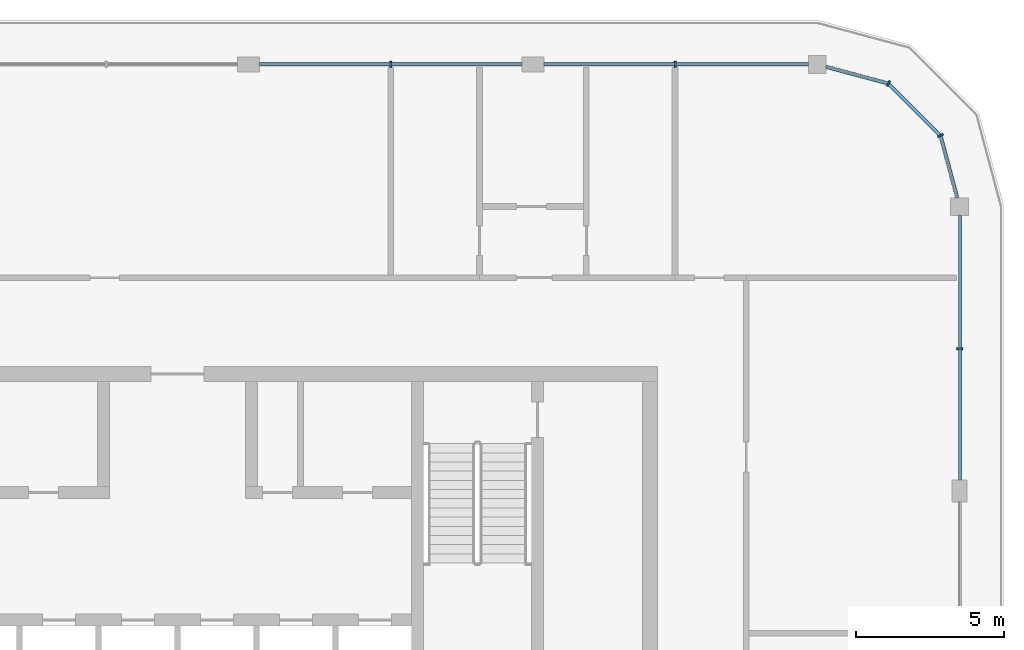
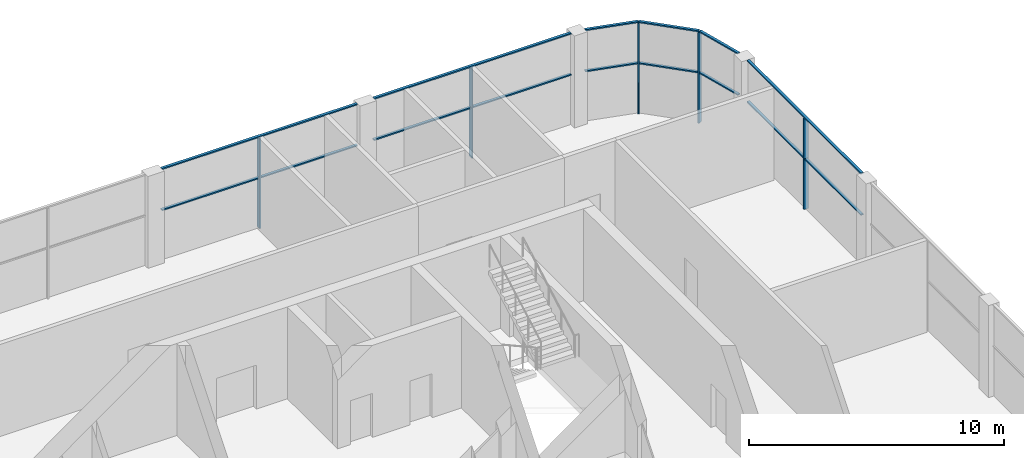
# One storey, part 6 of 15: 20 members, 4 elements without a shape of their own.
"""IFC4 building model written with IfcOpenShell, lengths in metres."""

from ifc_helpers import new_model, si_unit, direction, frame, origin, origin_2d, place, context, subcontext, project, spatial, rectangle, extrude, material, layer, layer_set, material_profile, profile_set, type_object, element, aggregate, save


model = new_model("IFC4")

# Units and contexts
model_context = context("Model", 3, precision=1e-05, world=origin(), true_north=direction((0.0, 1.0)))
body_context = subcontext(model_context, "Body", "Model", "MODEL_VIEW")
ifc_project = project(units=[si_unit("LENGTHUNIT", "METRE"), si_unit("AREAUNIT", "SQUARE_METRE"), si_unit("VOLUMEUNIT", "CUBIC_METRE"), si_unit("PLANEANGLEUNIT", "RADIAN"), si_unit("MASSUNIT", "GRAM", prefix="KILO")], contexts=[model_context])

# Site, building, storey
site_placement = place(None, origin())
site = spatial("IfcSite", under=ifc_project, at=site_placement, CompositionType="ELEMENT")
building_placement = place(site_placement, origin())
building = spatial("IfcBuilding", under=site, at=building_placement, Name="Madar Terraces", CompositionType="ELEMENT")
storey_placement = place(building_placement, frame((0.0, 0.0, 291.5)))
storey = spatial("IfcBuildingStorey", under=building, at=storey_placement, Name="L76", CompositionType="ELEMENT", Elevation=291.5)

# Curtain wall, member
ifc_material_1 = material(Name="Glass, clear low-iron, with black aluminium frame", Category="aluminium")
ifc_layer = layer(ifc_material_1, 0.199951171875)
ifc_layer_set = layer_set([ifc_layer], Name="Facade curtain wall, observation glazing")
curtain_wall_type = type_object("IfcCurtainWallType", Name="Facade curtain wall, observation glazing", PredefinedType="NOTDEFINED", material=ifc_layer_set)
curtain_wall_1_placement = place(storey_placement, origin())
curtain_wall_1 = element("IfcCurtainWall", 1, at=curtain_wall_1_placement, inside=storey, type_object=curtain_wall_type, Name="Outer skin curtain wall east bay 4", PredefinedType="NOTDEFINED")
ifc_material_2 = material(Name="Aluminium, black anodised", Category="aluminium")
ifc_material_profile_1 = material_profile(ifc_material_2, rectangle(XDim=0.199951171875, YDim=0.06005859375, at=origin_2d()), Name="Facade mullion 60x200")
ifc_profile_set_1 = profile_set([ifc_material_profile_1], Name="Aluminium, black anodised")
member_type_1 = type_object("IfcMemberType", Name="Facade mullion 60x200", PredefinedType="MULLION", material=ifc_profile_set_1)
member_1_placement = place(storey_placement, frame((57.60009765625, 38.39990234375, 0.0), z_axis=(0.0, 0.0, 1.0), x_axis=(-1.0, 0.0, 0.0)))
member_1 = element("IfcMember", 2, at=member_1_placement, type_object=member_type_1, Name="Mullion 1", PredefinedType="MULLION", context=body_context, shape_type="SweptSolid", body=[
    extrude(rectangle(XDim=0.199951171875, YDim=0.06005859375, at=origin_2d()), origin(), (0.0, 0.0, 1.0), 4.340087890625),
])

curtain_wall_2_placement = place(storey_placement, origin())
curtain_wall_2 = element("IfcCurtainWall", 3, at=curtain_wall_2_placement, inside=storey, type_object=curtain_wall_type, Name="Outer skin curtain wall north bay 1", PredefinedType="NOTDEFINED")
member_2_placement = place(storey_placement, frame((48.0, 48.0, 0.0), z_axis=(0.0, 0.0, 1.0), x_axis=(0.0, -1.0, 0.0)))
member_2 = element("IfcMember", 4, at=member_2_placement, type_object=member_type_1, Name="Mullion 1", PredefinedType="MULLION", context=body_context, shape_type="SweptSolid", body=[
    extrude(rectangle(XDim=0.199951171875, YDim=0.06005859375, at=origin_2d()), origin(), (0.0, 0.0, 1.0), 4.340087890625),
])

curtain_wall_3_placement = place(storey_placement, origin())
curtain_wall_3 = element("IfcCurtainWall", 5, at=curtain_wall_3_placement, inside=storey, type_object=curtain_wall_type, Name="Outer skin curtain wall north bay 2", PredefinedType="NOTDEFINED")
member_3_placement = place(storey_placement, frame((38.39990234375, 48.0, 0.0), z_axis=(0.0, 0.0, 1.0), x_axis=(0.0, -1.0, 0.0)))
member_3 = element("IfcMember", 6, at=member_3_placement, type_object=member_type_1, Name="Mullion 1", PredefinedType="MULLION", context=body_context, shape_type="SweptSolid", body=[
    extrude(rectangle(XDim=0.199951171875, YDim=0.06005859375, at=origin_2d()), origin(), (0.0, 0.0, 1.0), 4.340087890625),
])

# Curtain wall, members
curtain_wall_4_placement = place(storey_placement, origin())
curtain_wall_4 = element("IfcCurtainWall", 7, at=curtain_wall_4_placement, inside=storey, type_object=curtain_wall_type, Name="Outer skin curtain wall north-east corner", PredefinedType="NOTDEFINED")
member_4_placement = place(storey_placement, frame((56.95703125, 45.60009765625, 0.0), z_axis=(0.0, 0.0, 1.0), x_axis=(-0.866025409797, -0.499999989586, 0.0)))
member_4 = element("IfcMember", 8, at=member_4_placement, type_object=member_type_1, Name="Mullion 1", PredefinedType="MULLION", context=body_context, shape_type="SweptSolid", body=[
    extrude(rectangle(XDim=0.199951171875, YDim=0.06005859375, at=origin_2d()), origin(), (0.0, 0.0, 1.0), 4.340087890625),
])
member_5_placement = place(storey_placement, frame((55.199951171875, 47.35693359375, 0.0), z_axis=(0.0, 0.0, 1.0), x_axis=(-0.499999989586, -0.866025409797, 0.0)))
member_5 = element("IfcMember", 9, at=member_5_placement, type_object=member_type_1, Name="Mullion 2", PredefinedType="MULLION", context=body_context, shape_type="SweptSolid", body=[
    extrude(rectangle(XDim=0.199951171875, YDim=0.06005859375, at=origin_2d()), origin(), (0.0, 0.0, 1.0), 4.340087890625),
])

# Member
ifc_material_3 = material(Name="Aluminium, black anodised", Category="aluminium")
ifc_material_profile_2 = material_profile(ifc_material_3, rectangle(XDim=0.1201171875, YDim=0.06005859375, at=origin_2d()), Name="Facade transom 60x120")
ifc_profile_set_2 = profile_set([ifc_material_profile_2], Name="Aluminium, black anodised")
member_type_2 = type_object("IfcMemberType", Name="Facade transom 60x120", PredefinedType="USERDEFINED", material=ifc_profile_set_2)
member_6_placement = place(storey_placement, frame((57.60009765625, 33.97509765625, 4.3701171875), z_axis=(0.0, 1.0, 0.0), x_axis=(-1.0, 0.0, 0.0)))
member_6 = element("IfcMember", 10, at=member_6_placement, type_object=member_type_2, Name="Transom 1", ObjectType="TRANSOM", PredefinedType="USERDEFINED", context=body_context, shape_type="SweptSolid", body=[
    extrude(rectangle(XDim=0.1201171875, YDim=0.06005859375, at=origin_2d()), origin(), (0.0, 0.0, 1.0), 8.9248046875),
])

member_7_placement = place(storey_placement, frame((57.60009765625, 33.97509765625, 2.39990234375), z_axis=(0.0, 1.0, 0.0), x_axis=(-1.0, 0.0, 0.0)))
member_7 = element("IfcMember", 11, at=member_7_placement, type_object=member_type_2, Name="Transom 2", ObjectType="TRANSOM", PredefinedType="USERDEFINED", context=body_context, shape_type="SweptSolid", body=[
    extrude(rectangle(XDim=0.1201171875, YDim=0.06005859375, at=origin_2d()), origin(), (0.0, 0.0, 1.0), 4.39501953125),
])

member_8_placement = place(storey_placement, frame((57.60009765625, 38.429931640625, 2.39990234375), z_axis=(0.0, 1.0, 0.0), x_axis=(-1.0, 0.0, 0.0)))
member_8 = element("IfcMember", 12, at=member_8_placement, type_object=member_type_2, Name="Transom 3", ObjectType="TRANSOM", PredefinedType="USERDEFINED", context=body_context, shape_type="SweptSolid", body=[
    extrude(rectangle(XDim=0.1201171875, YDim=0.06005859375, at=origin_2d()), origin(), (0.0, 0.0, 1.0), 4.469970703125),
])

aggregate(curtain_wall_1, [member_1, member_6, member_7, member_8])

member_9_placement = place(storey_placement, frame((52.5, 48.0, 4.3701171875), z_axis=(-1.0, 0.0, 0.0), x_axis=(0.0, -1.0, 0.0)))
member_9 = element("IfcMember", 13, at=member_9_placement, type_object=member_type_2, Name="Transom 1", ObjectType="TRANSOM", PredefinedType="USERDEFINED", context=body_context, shape_type="SweptSolid", body=[
    extrude(rectangle(XDim=0.1201171875, YDim=0.06005859375, at=origin_2d()), origin(), (0.0, 0.0, 1.0), 8.925048828125),
])

member_10_placement = place(storey_placement, frame((52.5, 48.0, 2.39990234375), z_axis=(-1.0, 0.0, 0.0), x_axis=(0.0, -1.0, 0.0)))
member_10 = element("IfcMember", 14, at=member_10_placement, type_object=member_type_2, Name="Transom 2", ObjectType="TRANSOM", PredefinedType="USERDEFINED", context=body_context, shape_type="SweptSolid", body=[
    extrude(rectangle(XDim=0.1201171875, YDim=0.06005859375, at=origin_2d()), origin(), (0.0, 0.0, 1.0), 4.469970703125),
])

member_11_placement = place(storey_placement, frame((47.969970703125, 48.0, 2.39990234375), z_axis=(-1.0, 0.0, 0.0), x_axis=(0.0, -1.0, 0.0)))
member_11 = element("IfcMember", 15, at=member_11_placement, type_object=member_type_2, Name="Transom 3", ObjectType="TRANSOM", PredefinedType="USERDEFINED", context=body_context, shape_type="SweptSolid", body=[
    extrude(rectangle(XDim=0.1201171875, YDim=0.06005859375, at=origin_2d()), origin(), (0.0, 0.0, 1.0), 4.39501953125),
])

aggregate(curtain_wall_2, [member_2, member_9, member_10, member_11])

member_12_placement = place(storey_placement, frame((42.824951171875, 48.0, 4.3701171875), z_axis=(-1.0, 0.0, 0.0), x_axis=(0.0, -1.0, 0.0)))
member_12 = element("IfcMember", 16, at=member_12_placement, type_object=member_type_2, Name="Transom 1", ObjectType="TRANSOM", PredefinedType="USERDEFINED", context=body_context, shape_type="SweptSolid", body=[
    extrude(rectangle(XDim=0.1201171875, YDim=0.06005859375, at=origin_2d()), origin(), (0.0, 0.0, 1.0), 8.849853515625),
])

member_13_placement = place(storey_placement, frame((42.824951171875, 48.0, 2.39990234375), z_axis=(-1.0, 0.0, 0.0), x_axis=(0.0, -1.0, 0.0)))
member_13 = element("IfcMember", 17, at=member_13_placement, type_object=member_type_2, Name="Transom 2", ObjectType="TRANSOM", PredefinedType="USERDEFINED", context=body_context, shape_type="SweptSolid", body=[
    extrude(rectangle(XDim=0.1201171875, YDim=0.06005859375, at=origin_2d()), origin(), (0.0, 0.0, 1.0), 4.39501953125),
])

member_14_placement = place(storey_placement, frame((38.3701171875, 48.0, 2.39990234375), z_axis=(-1.0, 0.0, 0.0), x_axis=(0.0, -1.0, 0.0)))
member_14 = element("IfcMember", 18, at=member_14_placement, type_object=member_type_2, Name="Transom 3", ObjectType="TRANSOM", PredefinedType="USERDEFINED", context=body_context, shape_type="SweptSolid", body=[
    extrude(rectangle(XDim=0.1201171875, YDim=0.06005859375, at=origin_2d()), origin(), (0.0, 0.0, 1.0), 4.39501953125),
])

aggregate(curtain_wall_3, [member_3, member_12, member_13, member_14])

member_15_placement = place(storey_placement, frame((57.51953125, 43.5, 4.3701171875), z_axis=(-0.258817664066, 0.965926196336, 0.0), x_axis=(-0.965926196336, -0.258817664066, 0.0)))
member_15 = element("IfcMember", 19, at=member_15_placement, type_object=member_type_2, Name="Transom 1", ObjectType="TRANSOM", PredefinedType="USERDEFINED", context=body_context, shape_type="SweptSolid", body=[
    extrude(rectangle(XDim=0.1201171875, YDim=0.06005859375, at=origin_2d()), origin(), (0.0, 0.0, 1.0), 2.14404296875),
])

member_16_placement = place(storey_placement, frame((57.51953125, 43.5, 2.39990234375), z_axis=(-0.258817664066, 0.965926196336, 0.0), x_axis=(-0.965926196336, -0.258817664066, 0.0)))
member_16 = element("IfcMember", 20, at=member_16_placement, type_object=member_type_2, Name="Transom 2", ObjectType="TRANSOM", PredefinedType="USERDEFINED", context=body_context, shape_type="SweptSolid", body=[
    extrude(rectangle(XDim=0.1201171875, YDim=0.06005859375, at=origin_2d()), origin(), (0.0, 0.0, 1.0), 2.14404296875),
])

member_17_placement = place(storey_placement, frame((56.935791015625, 45.62109375, 4.3701171875), z_axis=(-0.707106781187, 0.707106781187, 0.0), x_axis=(-0.707106781187, -0.707106781187, 0.0)))
member_17 = element("IfcMember", 21, at=member_17_placement, type_object=member_type_2, Name="Transom 3", ObjectType="TRANSOM", PredefinedType="USERDEFINED", context=body_context, shape_type="SweptSolid", body=[
    extrude(rectangle(XDim=0.1201171875, YDim=0.06005859375, at=origin_2d()), origin(), (0.0, 0.0, 1.0), 2.4248046875),
])

member_18_placement = place(storey_placement, frame((56.935791015625, 45.62109375, 2.39990234375), z_axis=(-0.707106781187, 0.707106781187, 0.0), x_axis=(-0.707106781187, -0.707106781187, 0.0)))
member_18 = element("IfcMember", 22, at=member_18_placement, type_object=member_type_2, Name="Transom 4", ObjectType="TRANSOM", PredefinedType="USERDEFINED", context=body_context, shape_type="SweptSolid", body=[
    extrude(rectangle(XDim=0.1201171875, YDim=0.06005859375, at=origin_2d()), origin(), (0.0, 0.0, 1.0), 2.4248046875),
])

member_19_placement = place(storey_placement, frame((55.171142578125, 47.36474609375, 4.3701171875), z_axis=(-0.965926196336, 0.258817664066, 0.0), x_axis=(-0.258817664066, -0.965926196336, 0.0)))
member_19 = element("IfcMember", 23, at=member_19_placement, type_object=member_type_2, Name="Transom 5", ObjectType="TRANSOM", PredefinedType="USERDEFINED", context=body_context, shape_type="SweptSolid", body=[
    extrude(rectangle(XDim=0.1201171875, YDim=0.06005859375, at=origin_2d()), origin(), (0.0, 0.0, 1.0), 2.14404296875),
])

member_20_placement = place(storey_placement, frame((55.171142578125, 47.36474609375, 2.39990234375), z_axis=(-0.965926196336, 0.258817664066, 0.0), x_axis=(-0.258817664066, -0.965926196336, 0.0)))
member_20 = element("IfcMember", 24, at=member_20_placement, type_object=member_type_2, Name="Transom 6", ObjectType="TRANSOM", PredefinedType="USERDEFINED", context=body_context, shape_type="SweptSolid", body=[
    extrude(rectangle(XDim=0.1201171875, YDim=0.06005859375, at=origin_2d()), origin(), (0.0, 0.0, 1.0), 2.14404296875),
])

aggregate(curtain_wall_4, [member_4, member_15, member_16, member_5, member_17, member_18, member_19, member_20])

save(model, "model.ifc")
